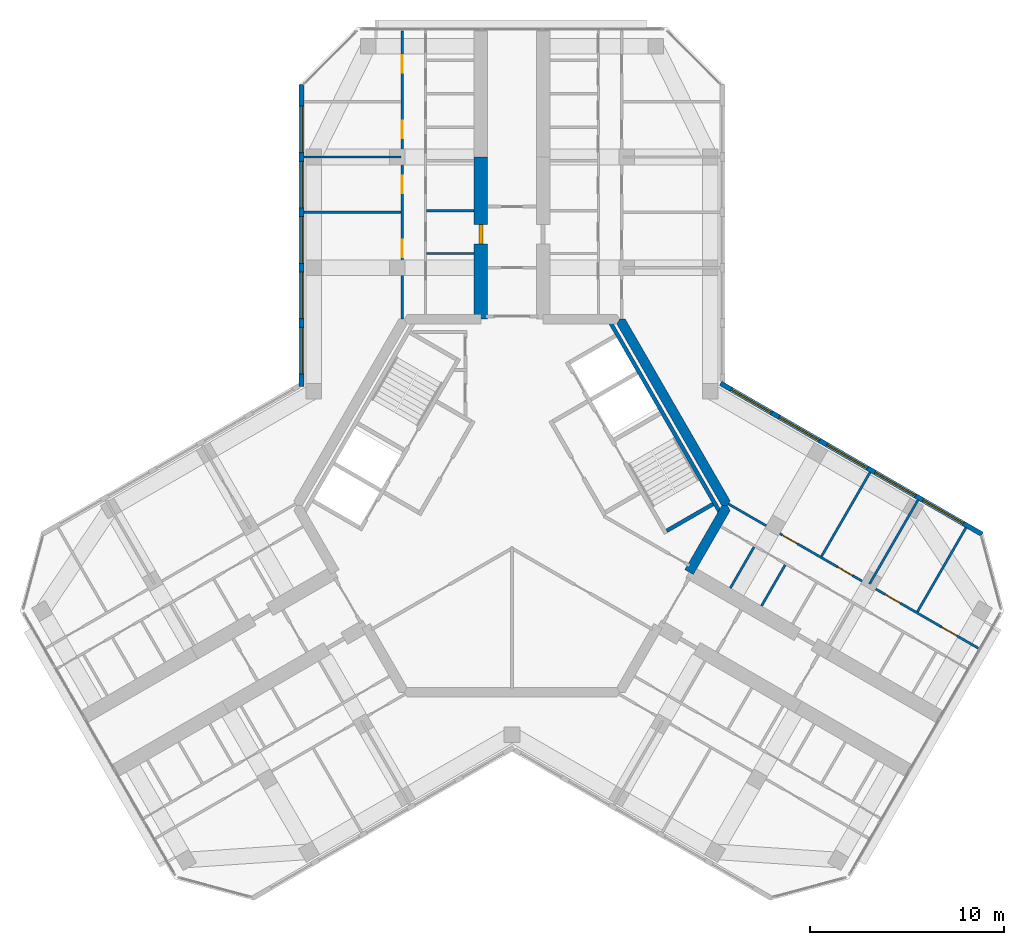
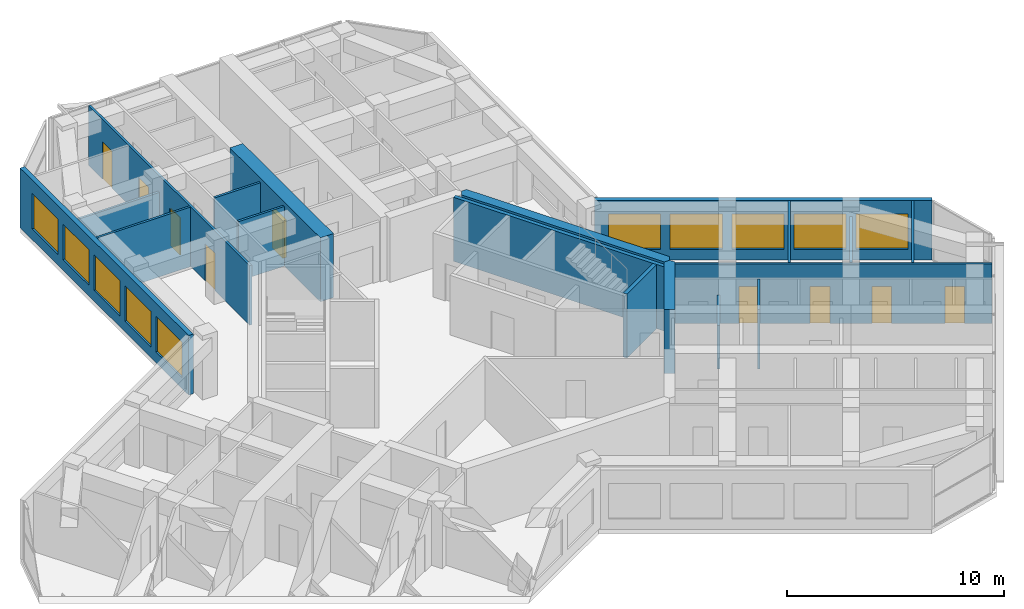
# One storey, part 11 of 14: 18 walls, 10 windows, 9 doors, 19 openings.
"""IFC4 building model written with IfcOpenShell, lengths in metres."""

from ifc_helpers import new_model, si_unit, direction, frame, frame_2d, origin, place, context, subcontext, project, spatial, polyline, rectangle, outline, extrude, material, layer, layer_set, type_object, element, fill, save


model = new_model("IFC4")

# Units and contexts
model_context = context("Model", 3, precision=1e-05, world=origin(), true_north=direction((0.0, 1.0)))
body_context = subcontext(model_context, "Body", "Model", "MODEL_VIEW")
ifc_project = project(units=[si_unit("LENGTHUNIT", "METRE"), si_unit("AREAUNIT", "SQUARE_METRE"), si_unit("VOLUMEUNIT", "CUBIC_METRE"), si_unit("PLANEANGLEUNIT", "RADIAN"), si_unit("MASSUNIT", "GRAM", prefix="KILO")], contexts=[model_context])

# Site, building, storey
site_placement = place(None, origin())
site = spatial("IfcSite", under=ifc_project, at=site_placement, CompositionType="ELEMENT")
building_placement = place(site_placement, origin())
building = spatial("IfcBuilding", under=site, at=building_placement, Name="Kosmar Iwan School Tower", CompositionType="ELEMENT")
storey_placement = place(building_placement, frame((0.0, 0.0, 285.39990234375)))
storey = spatial("IfcBuildingStorey", under=building, at=storey_placement, Name="L72", CompositionType="ELEMENT", Elevation=285.39990234375)

# Walls
ifc_material_1 = material(Name="Concrete C50/60", Category="concrete")
ifc_layer_1 = layer(ifc_material_1, 0.5)
ifc_layer_set_1 = layer_set([ifc_layer_1], Name="Core wall 500")
wall_type_1 = type_object("IfcWallType", Name="Core wall 500", PredefinedType="SHEAR", material=ifc_layer_set_1)
wall_1_placement = place(storey_placement, origin())
element("IfcWall", 1, at=wall_1_placement, inside=storey, type_object=wall_type_1, Name="Core wall F030", PredefinedType="SHEAR", context=body_context, shape_type="SweptSolid", body=[
    extrude(outline(polyline([(10.79638671875, 0.0), (11.085205078125, 0.0), (11.2294921875, 0.25), (5.831298828125, 9.60009765625), (5.54248046875, 9.60009765625), (5.398193359375, 9.35009765625), (10.79638671875, 0.0)])), origin(), (0.0, 0.0, 1.0), 3.60009765625),
])
wall_2_placement = place(storey_placement, origin())
element("IfcWall", 2, at=wall_2_placement, inside=storey, type_object=wall_type_1, Name="Core wall F330b", PredefinedType="SHEAR", context=body_context, shape_type="SweptSolid", body=[
    extrude(outline(polyline([(9.330322265625, -3.539306640625), (11.2294921875, -0.25), (11.085205078125, 0.0), (10.79638671875, 0.0), (8.897216796875, -3.289306640625), (9.330322265625, -3.539306640625)])), origin(), (0.0, 0.0, 1.0), 3.60009765625),
])

# Wall, opening, door
ifc_material_2 = material(Name="Concrete C50/60", Category="concrete")
ifc_layer_2 = layer(ifc_material_2, 0.699951171875)
ifc_layer_set_2 = layer_set([ifc_layer_2], Name="Corridor buttress wall 700")
wall_type_2 = type_object("IfcWallType", Name="Corridor buttress wall 700", PredefinedType="SHEAR", material=ifc_layer_set_2)
wall_3_placement = place(storey_placement, frame((-1.60009765625, 9.60009765625, 0.0), z_axis=(0.0, 0.0, 1.0), x_axis=(0.0, 1.0, 0.0)))
wall_3 = element("IfcWall", 3, at=wall_3_placement, inside=storey, type_object=wall_type_2, Name="Corridor wall AL", PredefinedType="SHEAR", context=body_context, shape_type="SweptSolid", body=[
    extrude(rectangle(XDim=8.349853515625, YDim=0.699951171875, at=frame_2d((4.1748046875, 0.0))), origin(), (0.0, 0.0, 1.0), 3.60009765625),
])
opening_1_placement = place(wall_3_placement, frame((3.8798828125, 0.0, 0.0)))
opening_1 = element("IfcOpeningElement", 4, at=opening_1_placement, cuts=wall_3, Name="Opening D1", PredefinedType="OPENING", context=body_context, shape_type="SweptSolid", body=[
    extrude(rectangle(XDim=1.0, YDim=2.10009765625, at=frame_2d((0.5, 1.050048828125))), frame((0.0, 0.362060546875, 0.0), z_axis=(0.0, -1.0, 0.0), x_axis=(1.0, 0.0, 0.0)), (0.0, 0.0, 1.0), 0.723876953125),
])
ifc_material_3 = material(Name="Timber fire door in steel frame", Category="steel")
door_type_1 = type_object("IfcDoorType", Name="Flat entrance door 1000x2100", OperationType="SINGLE_SWING_LEFT", PredefinedType="DOOR", material=ifc_material_3)
door_1_placement = place(opening_1_placement, origin())
door_1 = element("IfcDoor", 5, at=door_1_placement, inside=storey, type_object=door_type_1, Name="Flat L72-AL1 entrance door", OperationType="SINGLE_SWING_LEFT", OverallHeight=2.10009765625, OverallWidth=1.0, PredefinedType="DOOR", context=body_context, shape_type="SweptSolid", body=[
    extrude(rectangle(XDim=1.0, YDim=2.10009765625, at=frame_2d((0.5, 1.050048828125))), frame((0.0, 0.10009765625, 0.0), z_axis=(0.0, -1.0, 0.0), x_axis=(1.0, 0.0, 0.0)), (0.0, 0.0, 1.0), 0.199951171875),
])
fill(opening_1, door_1)

# Wall, openings, doors
ifc_material_4 = material(Name="Gypsum board on steel studs", Category="steel")
ifc_layer_3 = layer(ifc_material_4, 0.1201171875)
ifc_layer_set_3 = layer_set([ifc_layer_3], Name="Dwelling partition 120")
wall_type_3 = type_object("IfcWallType", Name="Dwelling partition 120", PredefinedType="PARTITIONING", material=ifc_layer_set_3)
wall_4_placement = place(storey_placement, frame((-5.64990234375, 9.60009765625, 0.0), z_axis=(0.0, 0.0, 1.0), x_axis=(0.0, 1.0, 0.0)))
wall_4 = element("IfcWall", 6, at=wall_4_placement, inside=storey, type_object=wall_type_3, Name="Partition L72-AL1-W2", PredefinedType="PARTITIONING", context=body_context, shape_type="SweptSolid", body=[
    extrude(rectangle(XDim=14.844970703125, YDim=0.1201171875, at=frame_2d((7.42236328125, 0.0))), origin(), (0.0, 0.0, 1.0), 3.35009765625),
])
opening_2_placement = place(wall_4_placement, frame((3.199951171875, 0.0, 0.0)))
opening_2 = element("IfcOpeningElement", 7, at=opening_2_placement, cuts=wall_4, Name="Opening D2", PredefinedType="OPENING", context=body_context, shape_type="SweptSolid", body=[
    extrude(rectangle(XDim=0.89990234375, YDim=2.10009765625, at=frame_2d((0.449951171875, 1.050048828125))), frame((0.0, 0.072021484375, 0.0), z_axis=(0.0, -1.0, 0.0), x_axis=(1.0, 0.0, 0.0)), (0.0, 0.0, 1.0), 0.14404296875),
])
opening_3_placement = place(wall_4_placement, frame((6.47509765625, 0.0, 0.0)))
opening_3 = element("IfcOpeningElement", 8, at=opening_3_placement, cuts=wall_4, Name="Opening D2", PredefinedType="OPENING", context=body_context, shape_type="SweptSolid", body=[
    extrude(rectangle(XDim=0.89990234375, YDim=2.10009765625, at=frame_2d((0.449951171875, 1.050048828125))), frame((0.0, 0.072021484375, 0.0), z_axis=(0.0, -1.0, 0.0), x_axis=(1.0, 0.0, 0.0)), (0.0, 0.0, 1.0), 0.14404296875),
])
opening_4_placement = place(wall_4_placement, frame((9.324951171875, 0.0, 0.0)))
opening_4 = element("IfcOpeningElement", 9, at=opening_4_placement, cuts=wall_4, Name="Opening D2", PredefinedType="OPENING", context=body_context, shape_type="SweptSolid", body=[
    extrude(rectangle(XDim=0.89990234375, YDim=2.10009765625, at=frame_2d((0.449951171875, 1.050048828125))), frame((0.0, 0.072021484375, 0.0), z_axis=(0.0, -1.0, 0.0), x_axis=(1.0, 0.0, 0.0)), (0.0, 0.0, 1.0), 0.14404296875),
])
opening_5_placement = place(wall_4_placement, frame((12.675048828125, 0.0, 0.0)))
opening_5 = element("IfcOpeningElement", 10, at=opening_5_placement, cuts=wall_4, Name="Opening D2", PredefinedType="OPENING", context=body_context, shape_type="SweptSolid", body=[
    extrude(rectangle(XDim=0.89990234375, YDim=2.10009765625, at=frame_2d((0.449951171875, 1.050048828125))), frame((0.0, 0.072021484375, 0.0), z_axis=(0.0, -1.0, 0.0), x_axis=(1.0, 0.0, 0.0)), (0.0, 0.0, 1.0), 0.14404296875),
])
ifc_material_5 = material(Name="Timber door in timber frame", Category="wood")
door_type_2 = type_object("IfcDoorType", Name="Internal door 900x2100", OperationType="SINGLE_SWING_LEFT", PredefinedType="DOOR", material=ifc_material_5)
door_2_placement = place(opening_2_placement, origin())
door_2 = element("IfcDoor", 11, at=door_2_placement, inside=storey, type_object=door_type_2, Name="Living room and kitchen door L72-AL1-F1", OperationType="SINGLE_SWING_RIGHT", OverallHeight=2.10009765625, OverallWidth=0.89990234375, PredefinedType="DOOR", context=body_context, shape_type="SweptSolid", body=[
    extrude(rectangle(XDim=0.89990234375, YDim=2.10009765625, at=frame_2d((0.449951171875, 1.050048828125))), frame((0.0, 0.02490234375, 0.0), z_axis=(0.0, -1.0, 0.0), x_axis=(1.0, 0.0, 0.0)), (0.0, 0.0, 1.0), 0.050048828125),
])
fill(opening_2, door_2)
door_3_placement = place(opening_3_placement, origin())
door_3 = element("IfcDoor", 12, at=door_3_placement, inside=storey, type_object=door_type_2, Name="Dining room door L72-AL1-F2", OperationType="SINGLE_SWING_RIGHT", OverallHeight=2.10009765625, OverallWidth=0.89990234375, PredefinedType="DOOR", context=body_context, shape_type="SweptSolid", body=[
    extrude(rectangle(XDim=0.89990234375, YDim=2.10009765625, at=frame_2d((0.449951171875, 1.050048828125))), frame((0.0, 0.02490234375, 0.0), z_axis=(0.0, -1.0, 0.0), x_axis=(1.0, 0.0, 0.0)), (0.0, 0.0, 1.0), 0.050048828125),
])
fill(opening_3, door_3)
door_4_placement = place(opening_4_placement, origin())
door_4 = element("IfcDoor", 13, at=door_4_placement, inside=storey, type_object=door_type_2, Name="Study door L72-AL1-F3", OperationType="SINGLE_SWING_LEFT", OverallHeight=2.10009765625, OverallWidth=0.89990234375, PredefinedType="DOOR", context=body_context, shape_type="SweptSolid", body=[
    extrude(rectangle(XDim=0.89990234375, YDim=2.10009765625, at=frame_2d((0.449951171875, 1.050048828125))), frame((0.0, 0.02490234375, 0.0), z_axis=(0.0, -1.0, 0.0), x_axis=(1.0, 0.0, 0.0)), (0.0, 0.0, 1.0), 0.050048828125),
])
fill(opening_4, door_4)
door_5_placement = place(opening_5_placement, origin())
door_5 = element("IfcDoor", 14, at=door_5_placement, inside=storey, type_object=door_type_2, Name="Bedroom 1 door L72-AL1-F4", OperationType="SINGLE_SWING_RIGHT", OverallHeight=2.10009765625, OverallWidth=0.89990234375, PredefinedType="DOOR", context=body_context, shape_type="SweptSolid", body=[
    extrude(rectangle(XDim=0.89990234375, YDim=2.10009765625, at=frame_2d((0.449951171875, 1.050048828125))), frame((0.0, 0.02490234375, 0.0), z_axis=(0.0, -1.0, 0.0), x_axis=(1.0, 0.0, 0.0)), (0.0, 0.0, 1.0), 0.050048828125),
])
fill(opening_5, door_5)

# Walls
wall_5_placement = place(storey_placement, frame((-5.7099609375, 15.10009765625, 0.0), z_axis=(0.0, 0.0, 1.0), x_axis=(-1.0, 0.0, 0.0)))
element("IfcWall", 15, at=wall_5_placement, inside=storey, type_object=wall_type_3, Name="Partition L72-AL1-X1", PredefinedType="PARTITIONING", context=body_context, shape_type="SweptSolid", body=[
    extrude(rectangle(XDim=4.989990234375, YDim=0.1201171875, at=frame_2d((2.4951171875, 0.0))), origin(), (0.0, 0.0, 1.0), 3.35009765625),
])
wall_6_placement = place(storey_placement, frame((-5.7099609375, 17.949951171875, 0.0), z_axis=(0.0, 0.0, 1.0), x_axis=(-1.0, 0.0, 0.0)))
element("IfcWall", 16, at=wall_6_placement, inside=storey, type_object=wall_type_3, Name="Partition L72-AL1-X2", PredefinedType="PARTITIONING", context=body_context, shape_type="SweptSolid", body=[
    extrude(rectangle(XDim=4.989990234375, YDim=0.1201171875, at=frame_2d((2.4951171875, 0.0))), origin(), (0.0, 0.0, 1.0), 2.4501953125),
])
for number, where, z_axis, x_axis, name in (
    (17, (-1.949951171875, 12.97998046875, 0.0), (0.0, 0.0, 1.0), (-1.0, 0.0, 0.0), "Partition L72-AL1-Y1"),
    (18, (-1.949951171875, 15.179931640625, 0.0), (0.0, 0.0, 1.0), (-1.0, 0.0, 0.0), "Partition L72-AL1-Y2"),
):
    element("IfcWall", number, at=place(storey_placement, frame(where, z_axis=z_axis, x_axis=x_axis)), inside=storey, type_object=wall_type_3, Name=name, PredefinedType="PARTITIONING", context=body_context, shape_type="SweptSolid", body=[
        extrude(rectangle(XDim=2.43994140625, YDim=0.1201171875, at=frame_2d((1.219970703125, 0.0))), origin(), (0.0, 0.0, 1.0), 3.35009765625),
    ])

# Wall, openings, doors
wall_7_placement = place(storey_placement, frame((11.138916015625, 0.093017578125, 0.0), z_axis=(0.0, 0.0, 1.0), x_axis=(0.866030301974, -0.499991515992, 0.0)))
wall_7 = element("IfcWall", 19, at=wall_7_placement, inside=storey, type_object=wall_type_3, Name="Partition L72-CL1-W2", PredefinedType="PARTITIONING", context=body_context, shape_type="SweptSolid", body=[
    extrude(rectangle(XDim=14.844970703125, YDim=0.1201171875, at=frame_2d((7.42236328125, 0.0))), origin(), (0.0, 0.0, 1.0), 3.35009765625),
])
opening_6_placement = place(wall_7_placement, frame((3.199951171875, 0.0, 0.0)))
opening_6 = element("IfcOpeningElement", 20, at=opening_6_placement, cuts=wall_7, Name="Opening D2", PredefinedType="OPENING", context=body_context, shape_type="SweptSolid", body=[
    extrude(rectangle(XDim=0.89990234375, YDim=2.10009765625, at=frame_2d((0.449951171875, 1.050048828125))), frame((0.0, 0.072021484375, 0.0), z_axis=(0.0, -1.0, 0.0), x_axis=(1.0, 0.0, 0.0)), (0.0, 0.0, 1.0), 0.14404296875),
])
opening_7_placement = place(wall_7_placement, frame((6.47509765625, 0.0, 0.0)))
opening_7 = element("IfcOpeningElement", 21, at=opening_7_placement, cuts=wall_7, Name="Opening D2", PredefinedType="OPENING", context=body_context, shape_type="SweptSolid", body=[
    extrude(rectangle(XDim=0.89990234375, YDim=2.10009765625, at=frame_2d((0.449951171875, 1.050048828125))), frame((0.0, 0.072021484375, 0.0), z_axis=(0.0, -1.0, 0.0), x_axis=(1.0, 0.0, 0.0)), (0.0, 0.0, 1.0), 0.14404296875),
])
opening_8_placement = place(wall_7_placement, frame((9.324951171875, 0.0, 0.0)))
opening_8 = element("IfcOpeningElement", 22, at=opening_8_placement, cuts=wall_7, Name="Opening D2", PredefinedType="OPENING", context=body_context, shape_type="SweptSolid", body=[
    extrude(rectangle(XDim=0.89990234375, YDim=2.10009765625, at=frame_2d((0.449951171875, 1.050048828125))), frame((0.0, 0.072021484375, 0.0), z_axis=(0.0, -1.0, 0.0), x_axis=(1.0, 0.0, 0.0)), (0.0, 0.0, 1.0), 0.14404296875),
])
opening_9_placement = place(wall_7_placement, frame((12.675048828125, 0.0, 0.0)))
opening_9 = element("IfcOpeningElement", 23, at=opening_9_placement, cuts=wall_7, Name="Opening D2", PredefinedType="OPENING", context=body_context, shape_type="SweptSolid", body=[
    extrude(rectangle(XDim=0.89990234375, YDim=2.10009765625, at=frame_2d((0.449951171875, 1.050048828125))), frame((0.0, 0.072021484375, 0.0), z_axis=(0.0, -1.0, 0.0), x_axis=(1.0, 0.0, 0.0)), (0.0, 0.0, 1.0), 0.14404296875),
])
door_6_placement = place(opening_6_placement, origin())
door_6 = element("IfcDoor", 24, at=door_6_placement, inside=storey, type_object=door_type_2, Name="Living room and kitchen door L72-CL1-F1", OperationType="SINGLE_SWING_RIGHT", OverallHeight=2.10009765625, OverallWidth=0.89990234375, PredefinedType="DOOR", context=body_context, shape_type="SweptSolid", body=[
    extrude(rectangle(XDim=0.89990234375, YDim=2.10009765625, at=frame_2d((0.449951171875, 1.050048828125))), frame((0.0, 0.02490234375, 0.0), z_axis=(0.0, -1.0, 0.0), x_axis=(1.0, 0.0, 0.0)), (0.0, 0.0, 1.0), 0.050048828125),
])
fill(opening_6, door_6)
door_7_placement = place(opening_7_placement, origin())
door_7 = element("IfcDoor", 25, at=door_7_placement, inside=storey, type_object=door_type_2, Name="Dining room door L72-CL1-F2", OperationType="SINGLE_SWING_LEFT", OverallHeight=2.10009765625, OverallWidth=0.89990234375, PredefinedType="DOOR", context=body_context, shape_type="SweptSolid", body=[
    extrude(rectangle(XDim=0.89990234375, YDim=2.10009765625, at=frame_2d((0.449951171875, 1.050048828125))), frame((0.0, 0.02490234375, 0.0), z_axis=(0.0, -1.0, 0.0), x_axis=(1.0, 0.0, 0.0)), (0.0, 0.0, 1.0), 0.050048828125),
])
fill(opening_7, door_7)
door_8_placement = place(opening_8_placement, origin())
door_8 = element("IfcDoor", 26, at=door_8_placement, inside=storey, type_object=door_type_2, Name="Bedroom 1 door L72-CL1-F3", OperationType="SINGLE_SWING_RIGHT", OverallHeight=2.10009765625, OverallWidth=0.89990234375, PredefinedType="DOOR", context=body_context, shape_type="SweptSolid", body=[
    extrude(rectangle(XDim=0.89990234375, YDim=2.10009765625, at=frame_2d((0.449951171875, 1.050048828125))), frame((0.0, 0.02490234375, 0.0), z_axis=(0.0, -1.0, 0.0), x_axis=(1.0, 0.0, 0.0)), (0.0, 0.0, 1.0), 0.050048828125),
])
fill(opening_8, door_8)
door_9_placement = place(opening_9_placement, origin())
door_9 = element("IfcDoor", 27, at=door_9_placement, inside=storey, type_object=door_type_2, Name="Study door L72-CL1-F4", OperationType="SINGLE_SWING_RIGHT", OverallHeight=2.10009765625, OverallWidth=0.89990234375, PredefinedType="DOOR", context=body_context, shape_type="SweptSolid", body=[
    extrude(rectangle(XDim=0.89990234375, YDim=2.10009765625, at=frame_2d((0.449951171875, 1.050048828125))), frame((0.0, 0.02490234375, 0.0), z_axis=(0.0, -1.0, 0.0), x_axis=(1.0, 0.0, 0.0)), (0.0, 0.0, 1.0), 0.050048828125),
])
fill(opening_9, door_9)

# Walls
wall_8_placement = place(storey_placement, frame((15.931884765625, -2.60498046875, 0.0), z_axis=(0.0, 0.0, 1.0), x_axis=(0.500011847778, 0.866018563358, 0.0)))
element("IfcWall", 28, at=wall_8_placement, inside=storey, type_object=wall_type_3, Name="Partition L72-CL1-X1", PredefinedType="PARTITIONING", context=body_context, shape_type="SweptSolid", body=[
    extrude(rectangle(XDim=4.990234375, YDim=0.1201171875, at=frame_2d((2.4951171875, 0.0))), origin(), (0.0, 0.0, 1.0), 3.35009765625),
])
wall_9_placement = place(storey_placement, frame((18.400146484375, -4.030029296875, 0.0), z_axis=(0.0, 0.0, 1.0), x_axis=(0.500011847778, 0.866018563358, 0.0)))
element("IfcWall", 29, at=wall_9_placement, inside=storey, type_object=wall_type_3, Name="Partition L72-CL1-X2", PredefinedType="PARTITIONING", context=body_context, shape_type="SweptSolid", body=[
    extrude(rectangle(XDim=4.990234375, YDim=0.1201171875, at=frame_2d((2.4951171875, 0.0))), origin(), (0.0, 0.0, 1.0), 2.4501953125),
])
wall_10_placement = place(storey_placement, frame((20.868408203125, -5.455078125, 0.0), z_axis=(0.0, 0.0, 1.0), x_axis=(0.499975153383, 0.86603974851, 0.0)))
element("IfcWall", 30, at=wall_10_placement, inside=storey, type_object=wall_type_3, Name="Partition L72-CL1-X3", PredefinedType="PARTITIONING", context=body_context, shape_type="SweptSolid", body=[
    extrude(rectangle(XDim=4.989990234375, YDim=0.1201171875, at=frame_2d((2.4951171875, 0.0))), origin(), (0.0, 0.0, 1.0), 3.35009765625),
])
wall_11_placement = place(storey_placement, frame((11.2373046875, -4.236328125, 0.0), z_axis=(0.0, 0.0, 1.0), x_axis=(0.500034220881, 0.866005645448, 0.0)))
element("IfcWall", 31, at=wall_11_placement, inside=storey, type_object=wall_type_3, Name="Partition L72-CL1-Y1", PredefinedType="PARTITIONING", context=body_context, shape_type="SweptSolid", body=[
    extrude(rectangle(XDim=2.440185546875, YDim=0.1201171875, at=frame_2d((1.22021484375, 0.0))), origin(), (0.0, 0.0, 1.0), 2.4501953125),
])
wall_12_placement = place(storey_placement, frame((12.839599609375, -5.161376953125, 0.0), z_axis=(0.0, 0.0, 1.0), x_axis=(0.499959183527, 0.866048967903, 0.0)))
element("IfcWall", 32, at=wall_12_placement, inside=storey, type_object=wall_type_3, Name="Partition L72-CL1-Y2", PredefinedType="PARTITIONING", context=body_context, shape_type="SweptSolid", body=[
    extrude(rectangle(XDim=2.440185546875, YDim=0.1201171875, at=frame_2d((1.22021484375, 0.0))), origin(), (0.0, 0.0, 1.0), 3.35009765625),
])

# Wall, openings, windows
ifc_material_6 = material(Name="Black aluminium rainscreen on insulated framing", Category="aluminium")
ifc_layer_4 = layer(ifc_material_6, 0.25)
ifc_layer_set_4 = layer_set([ifc_layer_4], Name="External wall rainscreen 250")
wall_type_4 = type_object("IfcWallType", Name="External wall rainscreen 250", PredefinedType="SOLIDWALL", material=ifc_layer_set_4)
wall_13_placement = place(storey_placement, frame((10.73681640625, 6.30078125, 0.0), z_axis=(0.0, 0.0, 1.0), x_axis=(0.866023091024, -0.500004005797, 0.0)))
wall_13 = element("IfcWall", 33, at=wall_13_placement, inside=storey, type_object=wall_type_4, Name="External wall CL L72", PredefinedType="SOLIDWALL", context=body_context, shape_type="SweptSolid", body=[
    extrude(rectangle(XDim=15.537353515625, YDim=0.25, at=frame_2d((7.7685546875, 0.0))), origin(), (0.0, 0.0, 1.0), 3.35009765625),
])
opening_10_placement = place(wall_13_placement, frame((0.626953125, 0.0, 0.60009765625)))
opening_10 = element("IfcOpeningElement", 34, at=opening_10_placement, cuts=wall_13, Name="Opening W6", PredefinedType="OPENING", context=body_context, shape_type="SweptSolid", body=[
    extrude(rectangle(XDim=2.39990234375, YDim=2.0, at=frame_2d((1.199951171875, 1.0))), frame((0.0, 0.136962890625, 0.0), z_axis=(0.0, -1.0, 0.0), x_axis=(1.0, 0.0, 0.0)), (0.0, 0.0, 1.0), 0.27392578125),
])
opening_11_placement = place(wall_13_placement, frame((3.47705078125, 0.0, 0.60009765625)))
opening_11 = element("IfcOpeningElement", 35, at=opening_11_placement, cuts=wall_13, Name="Opening W6", PredefinedType="OPENING", context=body_context, shape_type="SweptSolid", body=[
    extrude(rectangle(XDim=2.39990234375, YDim=2.0, at=frame_2d((1.199951171875, 1.0))), frame((0.0, 0.136962890625, 0.0), z_axis=(0.0, -1.0, 0.0), x_axis=(1.0, 0.0, 0.0)), (0.0, 0.0, 1.0), 0.27392578125),
])
opening_12_placement = place(wall_13_placement, frame((6.326904296875, 0.0, 0.60009765625)))
opening_12 = element("IfcOpeningElement", 36, at=opening_12_placement, cuts=wall_13, Name="Opening W6", PredefinedType="OPENING", context=body_context, shape_type="SweptSolid", body=[
    extrude(rectangle(XDim=2.39990234375, YDim=2.0, at=frame_2d((1.199951171875, 1.0))), frame((0.0, 0.136962890625, 0.0), z_axis=(0.0, -1.0, 0.0), x_axis=(1.0, 0.0, 0.0)), (0.0, 0.0, 1.0), 0.27392578125),
])
opening_13_placement = place(wall_13_placement, frame((9.177001953125, 0.0, 0.60009765625)))
opening_13 = element("IfcOpeningElement", 37, at=opening_13_placement, cuts=wall_13, Name="Opening W6", PredefinedType="OPENING", context=body_context, shape_type="SweptSolid", body=[
    extrude(rectangle(XDim=2.39990234375, YDim=2.0, at=frame_2d((1.199951171875, 1.0))), frame((0.0, 0.136962890625, 0.0), z_axis=(0.0, -1.0, 0.0), x_axis=(1.0, 0.0, 0.0)), (0.0, 0.0, 1.0), 0.27392578125),
])
opening_14_placement = place(wall_13_placement, frame((12.027099609375, 0.0, 0.60009765625)))
opening_14 = element("IfcOpeningElement", 38, at=opening_14_placement, cuts=wall_13, Name="Opening W6", PredefinedType="OPENING", context=body_context, shape_type="SweptSolid", body=[
    extrude(rectangle(XDim=2.39990234375, YDim=2.0, at=frame_2d((1.199951171875, 1.0))), frame((0.0, 0.136962890625, 0.0), z_axis=(0.0, -1.0, 0.0), x_axis=(1.0, 0.0, 0.0)), (0.0, 0.0, 1.0), 0.27392578125),
])
ifc_material_7 = material(Name="Black aluminium frame with dark triple glazing", Category="aluminium")
window_type = type_object("IfcWindowType", Name="Window 2400x2000", PartitioningType="SINGLE_PANEL", PredefinedType="WINDOW", material=ifc_material_7)
window_1_placement = place(opening_10_placement, origin())
window_1 = element("IfcWindow", 39, at=window_1_placement, inside=storey, type_object=window_type, Name="Window CL L72 -1", OverallHeight=2.0, OverallWidth=2.39990234375, PartitioningType="SINGLE_PANEL", PredefinedType="WINDOW", context=body_context, shape_type="SweptSolid", body=[
    extrude(rectangle(XDim=2.39990234375, YDim=2.0, at=frame_2d((1.199951171875, 1.0))), frame((0.0, 0.030029296875, 0.0), z_axis=(0.0, -1.0, 0.0), x_axis=(1.0, 0.0, 0.0)), (0.0, 0.0, 1.0), 0.06005859375),
])
fill(opening_10, window_1)
window_2_placement = place(opening_11_placement, origin())
window_2 = element("IfcWindow", 40, at=window_2_placement, inside=storey, type_object=window_type, Name="Window CL L72 0", OverallHeight=2.0, OverallWidth=2.39990234375, PartitioningType="SINGLE_PANEL", PredefinedType="WINDOW", context=body_context, shape_type="SweptSolid", body=[
    extrude(rectangle(XDim=2.39990234375, YDim=2.0, at=frame_2d((1.199951171875, 1.0))), frame((0.0, 0.030029296875, 0.0), z_axis=(0.0, -1.0, 0.0), x_axis=(1.0, 0.0, 0.0)), (0.0, 0.0, 1.0), 0.06005859375),
])
fill(opening_11, window_2)
window_3_placement = place(opening_12_placement, origin())
window_3 = element("IfcWindow", 41, at=window_3_placement, inside=storey, type_object=window_type, Name="Window CL L72 1", OverallHeight=2.0, OverallWidth=2.39990234375, PartitioningType="SINGLE_PANEL", PredefinedType="WINDOW", context=body_context, shape_type="SweptSolid", body=[
    extrude(rectangle(XDim=2.39990234375, YDim=2.0, at=frame_2d((1.199951171875, 1.0))), frame((0.0, 0.030029296875, 0.0), z_axis=(0.0, -1.0, 0.0), x_axis=(1.0, 0.0, 0.0)), (0.0, 0.0, 1.0), 0.06005859375),
])
fill(opening_12, window_3)
window_4_placement = place(opening_13_placement, origin())
window_4 = element("IfcWindow", 42, at=window_4_placement, inside=storey, type_object=window_type, Name="Window CL L72 2", OverallHeight=2.0, OverallWidth=2.39990234375, PartitioningType="SINGLE_PANEL", PredefinedType="WINDOW", context=body_context, shape_type="SweptSolid", body=[
    extrude(rectangle(XDim=2.39990234375, YDim=2.0, at=frame_2d((1.199951171875, 1.0))), frame((0.0, 0.030029296875, 0.0), z_axis=(0.0, -1.0, 0.0), x_axis=(1.0, 0.0, 0.0)), (0.0, 0.0, 1.0), 0.06005859375),
])
fill(opening_13, window_4)
window_5_placement = place(opening_14_placement, origin())
window_5 = element("IfcWindow", 43, at=window_5_placement, inside=storey, type_object=window_type, Name="Window CL L72 3", OverallHeight=2.0, OverallWidth=2.39990234375, PartitioningType="SINGLE_PANEL", PredefinedType="WINDOW", context=body_context, shape_type="SweptSolid", body=[
    extrude(rectangle(XDim=2.39990234375, YDim=2.0, at=frame_2d((1.199951171875, 1.0))), frame((0.0, 0.030029296875, 0.0), z_axis=(0.0, -1.0, 0.0), x_axis=(1.0, 0.0, 0.0)), (0.0, 0.0, 1.0), 0.06005859375),
])
fill(opening_14, window_5)

wall_14_placement = place(storey_placement, frame((-10.824951171875, 6.14794921875, 0.0), z_axis=(0.0, 0.0, 1.0), x_axis=(0.0, 1.0, 0.0)))
wall_14 = element("IfcWall", 44, at=wall_14_placement, inside=storey, type_object=wall_type_4, Name="External wall AL L72", PredefinedType="SOLIDWALL", context=body_context, shape_type="SweptSolid", body=[
    extrude(rectangle(XDim=15.537353515625, YDim=0.25, at=frame_2d((7.7685546875, 0.0))), origin(), (0.0, 0.0, 1.0), 3.35009765625),
])
opening_15_placement = place(wall_14_placement, frame((0.626953125, 0.0, 0.60009765625)))
opening_15 = element("IfcOpeningElement", 45, at=opening_15_placement, cuts=wall_14, Name="Opening W6", PredefinedType="OPENING", context=body_context, shape_type="SweptSolid", body=[
    extrude(rectangle(XDim=2.39990234375, YDim=2.0, at=frame_2d((1.199951171875, 1.0))), frame((0.0, 0.136962890625, 0.0), z_axis=(0.0, -1.0, 0.0), x_axis=(1.0, 0.0, 0.0)), (0.0, 0.0, 1.0), 0.27392578125),
])
opening_16_placement = place(wall_14_placement, frame((3.47705078125, 0.0, 0.60009765625)))
opening_16 = element("IfcOpeningElement", 46, at=opening_16_placement, cuts=wall_14, Name="Opening W6", PredefinedType="OPENING", context=body_context, shape_type="SweptSolid", body=[
    extrude(rectangle(XDim=2.39990234375, YDim=2.0, at=frame_2d((1.199951171875, 1.0))), frame((0.0, 0.136962890625, 0.0), z_axis=(0.0, -1.0, 0.0), x_axis=(1.0, 0.0, 0.0)), (0.0, 0.0, 1.0), 0.27392578125),
])
opening_17_placement = place(wall_14_placement, frame((6.326904296875, 0.0, 0.60009765625)))
opening_17 = element("IfcOpeningElement", 47, at=opening_17_placement, cuts=wall_14, Name="Opening W6", PredefinedType="OPENING", context=body_context, shape_type="SweptSolid", body=[
    extrude(rectangle(XDim=2.39990234375, YDim=2.0, at=frame_2d((1.199951171875, 1.0))), frame((0.0, 0.136962890625, 0.0), z_axis=(0.0, -1.0, 0.0), x_axis=(1.0, 0.0, 0.0)), (0.0, 0.0, 1.0), 0.27392578125),
])
opening_18_placement = place(wall_14_placement, frame((9.177001953125, 0.0, 0.60009765625)))
opening_18 = element("IfcOpeningElement", 48, at=opening_18_placement, cuts=wall_14, Name="Opening W6", PredefinedType="OPENING", context=body_context, shape_type="SweptSolid", body=[
    extrude(rectangle(XDim=2.39990234375, YDim=2.0, at=frame_2d((1.199951171875, 1.0))), frame((0.0, 0.136962890625, 0.0), z_axis=(0.0, -1.0, 0.0), x_axis=(1.0, 0.0, 0.0)), (0.0, 0.0, 1.0), 0.27392578125),
])
opening_19_placement = place(wall_14_placement, frame((12.027099609375, 0.0, 0.60009765625)))
opening_19 = element("IfcOpeningElement", 49, at=opening_19_placement, cuts=wall_14, Name="Opening W6", PredefinedType="OPENING", context=body_context, shape_type="SweptSolid", body=[
    extrude(rectangle(XDim=2.39990234375, YDim=2.0, at=frame_2d((1.199951171875, 1.0))), frame((0.0, 0.136962890625, 0.0), z_axis=(0.0, -1.0, 0.0), x_axis=(1.0, 0.0, 0.0)), (0.0, 0.0, 1.0), 0.27392578125),
])
window_6_placement = place(opening_15_placement, origin())
window_6 = element("IfcWindow", 50, at=window_6_placement, inside=storey, type_object=window_type, Name="Window AL L72 -1", OverallHeight=2.0, OverallWidth=2.39990234375, PartitioningType="SINGLE_PANEL", PredefinedType="WINDOW", context=body_context, shape_type="SweptSolid", body=[
    extrude(rectangle(XDim=2.39990234375, YDim=2.0, at=frame_2d((1.199951171875, 1.0))), frame((0.0, 0.030029296875, 0.0), z_axis=(0.0, -1.0, 0.0), x_axis=(1.0, 0.0, 0.0)), (0.0, 0.0, 1.0), 0.06005859375),
])
fill(opening_15, window_6)
window_7_placement = place(opening_16_placement, origin())
window_7 = element("IfcWindow", 51, at=window_7_placement, inside=storey, type_object=window_type, Name="Window AL L72 0", OverallHeight=2.0, OverallWidth=2.39990234375, PartitioningType="SINGLE_PANEL", PredefinedType="WINDOW", context=body_context, shape_type="SweptSolid", body=[
    extrude(rectangle(XDim=2.39990234375, YDim=2.0, at=frame_2d((1.199951171875, 1.0))), frame((0.0, 0.030029296875, 0.0), z_axis=(0.0, -1.0, 0.0), x_axis=(1.0, 0.0, 0.0)), (0.0, 0.0, 1.0), 0.06005859375),
])
fill(opening_16, window_7)
window_8_placement = place(opening_17_placement, origin())
window_8 = element("IfcWindow", 52, at=window_8_placement, inside=storey, type_object=window_type, Name="Window AL L72 1", OverallHeight=2.0, OverallWidth=2.39990234375, PartitioningType="SINGLE_PANEL", PredefinedType="WINDOW", context=body_context, shape_type="SweptSolid", body=[
    extrude(rectangle(XDim=2.39990234375, YDim=2.0, at=frame_2d((1.199951171875, 1.0))), frame((0.0, 0.030029296875, 0.0), z_axis=(0.0, -1.0, 0.0), x_axis=(1.0, 0.0, 0.0)), (0.0, 0.0, 1.0), 0.06005859375),
])
fill(opening_17, window_8)
window_9_placement = place(opening_18_placement, origin())
window_9 = element("IfcWindow", 53, at=window_9_placement, inside=storey, type_object=window_type, Name="Window AL L72 2", OverallHeight=2.0, OverallWidth=2.39990234375, PartitioningType="SINGLE_PANEL", PredefinedType="WINDOW", context=body_context, shape_type="SweptSolid", body=[
    extrude(rectangle(XDim=2.39990234375, YDim=2.0, at=frame_2d((1.199951171875, 1.0))), frame((0.0, 0.030029296875, 0.0), z_axis=(0.0, -1.0, 0.0), x_axis=(1.0, 0.0, 0.0)), (0.0, 0.0, 1.0), 0.06005859375),
])
fill(opening_18, window_9)
window_10_placement = place(opening_19_placement, origin())
window_10 = element("IfcWindow", 54, at=window_10_placement, inside=storey, type_object=window_type, Name="Window AL L72 3", OverallHeight=2.0, OverallWidth=2.39990234375, PartitioningType="SINGLE_PANEL", PredefinedType="WINDOW", context=body_context, shape_type="SweptSolid", body=[
    extrude(rectangle(XDim=2.39990234375, YDim=2.0, at=frame_2d((1.199951171875, 1.0))), frame((0.0, 0.030029296875, 0.0), z_axis=(0.0, -1.0, 0.0), x_axis=(1.0, 0.0, 0.0)), (0.0, 0.0, 1.0), 0.06005859375),
])
fill(opening_19, window_10)

# Walls
ifc_material_8 = material(Name="Concrete C50/60", Category="concrete")
ifc_layer_5 = layer(ifc_material_8, 0.199951171875)
ifc_layer_set_5 = layer_set([ifc_layer_5], Name="Lift shaft wall 200")
wall_type_5 = type_object("IfcWallType", Name="Lift shaft wall 200", PredefinedType="SHEAR", material=ifc_layer_set_5)
wall_15_placement = place(storey_placement, frame((10.680908203125, -0.300048828125, 0.0), z_axis=(0.0, 0.0, 1.0), x_axis=(-0.500004846395, 0.866022605699, 0.0)))
element("IfcWall", 55, at=wall_15_placement, inside=storey, type_object=wall_type_5, Name="Lift and stair back wall AC", PredefinedType="SHEAR", context=body_context, shape_type="SweptSolid", body=[
    extrude(rectangle(XDim=11.20068359375, YDim=0.199951171875, at=frame_2d((5.600341796875, 0.0))), origin(), (0.0, 0.0, 1.0), 3.60009765625),
])
ifc_material_9 = material(Name="Concrete C50/60", Category="concrete")
ifc_layer_6 = layer(ifc_material_9, 0.199951171875)
ifc_layer_set_6 = layer_set([ifc_layer_6], Name="Stair enclosure wall 200")
wall_type_6 = type_object("IfcWallType", Name="Stair enclosure wall 200", PredefinedType="SHEAR", material=ifc_layer_set_6)
wall_16_placement = place(storey_placement, frame((7.962646484375, -1.291748046875, 0.0), z_axis=(0.0, 0.0, 1.0), x_axis=(0.866027397988, 0.499996545922, 0.0)))
element("IfcWall", 56, at=wall_16_placement, inside=storey, type_object=wall_type_6, Name="Stair ST1 wall", PredefinedType="SHEAR", context=body_context, shape_type="SweptSolid", body=[
    extrude(rectangle(XDim=2.75, YDim=0.199951171875, at=frame_2d((1.375, 0.0))), origin(), (0.0, 0.0, 1.0), 3.60009765625),
])

save(model, "model.ifc")
